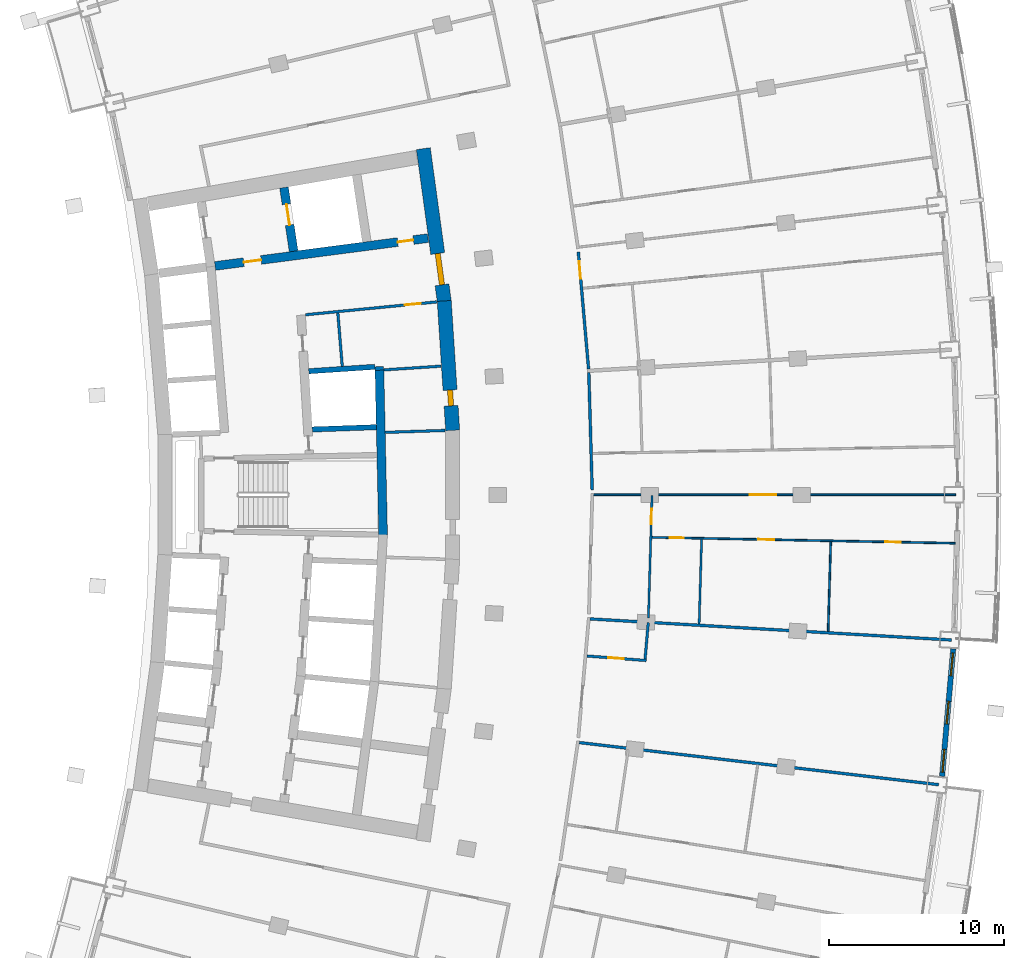
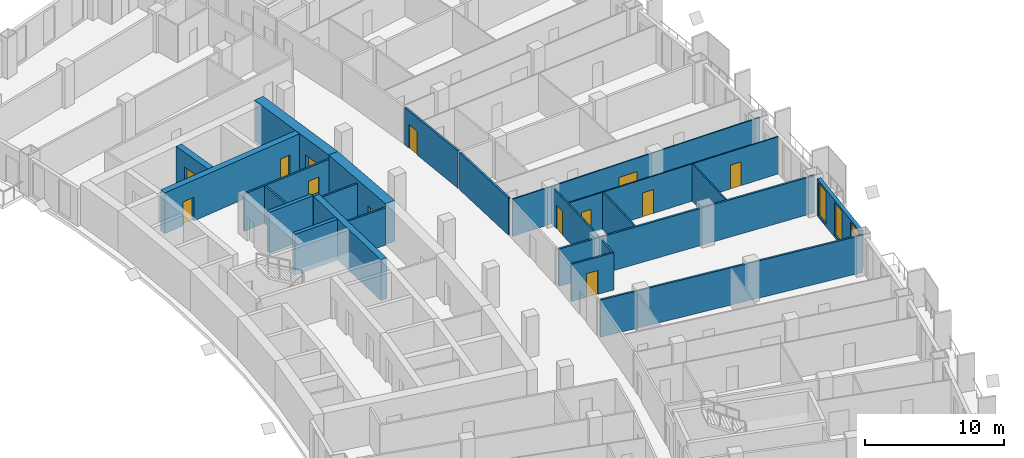
# One storey, part 17 of 25: 24 walls, 13 doors, 3 windows, 16 openings.
"""IFC4 building model written with IfcOpenShell, lengths in metres."""

import ifcopenshell
import ifcopenshell.guid

model = None  # the IFC model being written
_history = None  # IfcOwnerHistory: only IFC2X3 demands one
_inside = {}  # id of a spatial element -> (the spatial element, [elements in it])
_under = {}  # id of a project, library or spatial element -> (it, [spatial elements below it])
_declared = {}  # id of a project -> (the project, [libraries it declares])
_typed = {}  # id of a type object -> (the type object, [elements of that type])
_made_of = {}  # id of a material, layer set ... -> (it, [elements and type objects made of it])


def new_model(schema):
    """Start an empty IFC model of exactly this schema.

    Asked for "IFC4X3", IfcOpenShell would pick the latest addendum, in which some entities
    have other attributes; the version numbers below select the first issue.
    IFC2X3 requires an IfcOwnerHistory on every rooted entity: one is made here for all.
    """
    global model, _history
    if schema == "IFC4X3":
        model = ifcopenshell.file(schema_version=(4, 3, 0, 0))
    else:
        model = ifcopenshell.file(schema=schema)
    _inside.clear()
    _under.clear()
    _declared.clear()
    _typed.clear()
    _made_of.clear()
    _history = None
    if model.schema == "IFC2X3":
        org = make("IfcOrganization", Name="unknown")
        user = make(
            "IfcPersonAndOrganization",
            ThePerson=make("IfcPerson", FamilyName="unknown"),
            TheOrganization=org,
        )
        app = make(
            "IfcApplication",
            ApplicationDeveloper=org,
            Version="unknown",
            ApplicationFullName="unknown",
            ApplicationIdentifier="unknown",
        )
        _history = make(
            "IfcOwnerHistory",
            OwningUser=user,
            OwningApplication=app,
            ChangeAction="ADDED",
            CreationDate=0,
        )
    return model


def make(cls, **values):
    """One entity of the class cls with the attributes given. An attribute that is None is left unset."""
    return model.create_entity(
        cls, **{name: value for name, value in values.items() if value is not None}
    )


def rooted(cls, **values):
    """An entity with a GlobalId (a new one), such as an element, a storey or a relation."""
    return make(cls, GlobalId=ifcopenshell.guid.new(), OwnerHistory=_history, **values)


def si_unit(unit_type, name, prefix=None):
    """IfcSIUnit, for example si_unit("LENGTHUNIT", "METRE", prefix="MILLI")."""
    return make("IfcSIUnit", UnitType=unit_type, Prefix=prefix, Name=name)


def assignment(units):
    """IfcUnitAssignment: the units of a project."""
    return None if units is None else make("IfcUnitAssignment", Units=units)


def point(xyz):
    """IfcCartesianPoint."""
    return None if xyz is None else make("IfcCartesianPoint", Coordinates=xyz)


def direction(xyz):
    """IfcDirection."""
    return None if xyz is None else make("IfcDirection", DirectionRatios=xyz)


def frame(location, z_axis=None, x_axis=None):
    """IfcAxis2Placement3D, a coordinate frame: its origin and axes. An axis left out is left unset."""
    return make(
        "IfcAxis2Placement3D",
        Location=point(location),
        Axis=direction(z_axis),
        RefDirection=direction(x_axis),
    )


def frame_2d(location, x_axis=None):
    """IfcAxis2Placement2D, a coordinate frame in the plane: its origin and x axis."""
    return make(
        "IfcAxis2Placement2D", Location=point(location), RefDirection=direction(x_axis)
    )


def origin():
    """The frame at (0, 0, 0) with its axes left unset."""
    return frame((0.0, 0.0, 0.0))


def place(relative_to, where):
    """IfcLocalPlacement: puts the frame where relative to a parent placement (None: the world)."""
    return make(
        "IfcLocalPlacement", PlacementRelTo=relative_to, RelativePlacement=where
    )


def context(
    kind, dimensions, precision=None, world=None, true_north=None, identifier=None
):
    """IfcGeometricRepresentationContext, for example the 3D "Model" context."""
    return make(
        "IfcGeometricRepresentationContext",
        ContextIdentifier=identifier,
        ContextType=kind,
        CoordinateSpaceDimension=dimensions,
        Precision=precision,
        WorldCoordinateSystem=world,
        TrueNorth=true_north,
    )


def subcontext(parent, identifier, kind, view, scale=None):
    """IfcGeometricRepresentationSubContext, for example "Body" below "Model"."""
    return make(
        "IfcGeometricRepresentationSubContext",
        ContextIdentifier=identifier,
        ContextType=kind,
        ParentContext=parent,
        TargetScale=scale,
        TargetView=view,
    )


def project(units=None, contexts=None):
    """IfcProject with its units and contexts."""
    return rooted(
        "IfcProject",
        Name="project",
        RepresentationContexts=contexts,
        UnitsInContext=assignment(units),
    )


def spatial(cls, under=None, at=None, **own):
    """A site, building, storey or space (cls), placed at a placement, below another one or the project."""
    s = rooted(cls, ObjectPlacement=at, **own)
    if under is not None:
        _under.setdefault(under.id(), (under, []))[1].append(s)
    return s


def profile(cls, at=None, kind="AREA", **sizes):
    """A parametric profile (cls). Its sizes go by their IFC names, for example OverallWidth=200.0."""
    return make(cls, ProfileType=kind, Position=at, **sizes)


def rectangle(**sizes):
    """IfcRectangleProfileDef."""
    return profile("IfcRectangleProfileDef", **sizes)


def extrude(swept, where, along, depth):
    """IfcExtrudedAreaSolid: the profile swept, set in the frame where, extruded along a direction by depth."""
    return make(
        "IfcExtrudedAreaSolid",
        SweptArea=swept,
        Position=where,
        ExtrudedDirection=direction(along),
        Depth=depth,
    )


def shape(context_of_items, identifier, shape_type, items):
    """IfcShapeRepresentation: the items that make up one representation, for example the "Body"."""
    return make(
        "IfcShapeRepresentation",
        ContextOfItems=context_of_items,
        RepresentationIdentifier=identifier,
        RepresentationType=shape_type,
        Items=items,
    )


def material(Name=None, Category=None):
    """IfcMaterial."""
    return make("IfcMaterial", Name=Name, Category=Category)


def layer(
    of_material, thickness, ventilated=None, Name=None, Category=None, Priority=None
):
    """IfcMaterialLayer: one layer of a wall or slab, of a material (None: an air gap)."""
    return make(
        "IfcMaterialLayer",
        Material=of_material,
        LayerThickness=thickness,
        IsVentilated=ventilated,
        Name=Name,
        Category=Category,
        Priority=Priority,
    )


def layer_set(layers, Name=None):
    """IfcMaterialLayerSet."""
    return make("IfcMaterialLayerSet", MaterialLayers=layers, LayerSetName=Name)


def made_of(thing, what):
    """Note that an element or type object is made of a material, layer set ...; save() writes the relation."""
    if what is not None:
        _made_of.setdefault(what.id(), (what, []))[1].append(thing)
    return thing


def type_object(cls, material=None, **own):
    """A type object (cls), such as IfcWallType, which elements share."""
    return made_of(rooted(cls, **own), material)


def element(
    cls,
    number,
    at=None,
    inside=None,
    cuts=None,
    type_object=None,
    material=None,
    context=None,
    identifier="Body",
    shape_type=None,
    held_by="IfcProductDefinitionShape",
    body=None,
    shapes=None,
    **own,
):
    """One element of the class cls, such as IfcWall. Its Tag is "e" and its number.

    at: its placement. inside: the storey or other place that contains it. cuts: it is an
    opening in that element (IfcRelVoidsElement). A single representation is given by context,
    identifier, shape_type and body (its items); several are given by shapes. held_by: the class
    of the entity that holds the representations. save() writes the other relations.
    """
    e = rooted(cls, Tag="e%d" % number, ObjectPlacement=at, **own)
    if body is not None:
        shapes = [shape(context, identifier, shape_type, body)]
    if shapes is not None:
        e.Representation = make(held_by, Representations=shapes)
    if inside is not None:
        _inside.setdefault(inside.id(), (inside, []))[1].append(e)
    if cuts is not None:
        rooted(
            "IfcRelVoidsElement", RelatingBuildingElement=cuts, RelatedOpeningElement=e
        )
    if type_object is not None:
        _typed.setdefault(type_object.id(), (type_object, []))[1].append(e)
    return made_of(e, material)


def fill(opening, filler):
    """IfcRelFillsElement: the door or window that sits in an opening."""
    return rooted(
        "IfcRelFillsElement",
        RelatingOpeningElement=opening,
        RelatedBuildingElement=filler,
    )


def aggregate(whole, parts):
    """IfcRelAggregates: a whole, such as a stair, and the parts it consists of."""
    return rooted("IfcRelAggregates", RelatingObject=whole, RelatedObjects=parts)


def save(model, path):
    """Write the relations noted so far, then the file.

    IfcRelAggregates (storeys below a building ...), IfcRelContainedInSpatialStructure (elements
    in a storey), IfcRelDefinesByType, IfcRelAssociatesMaterial and IfcRelDeclares: one each for
    every whole, place, type object, material and project.
    """
    for whole, parts in _under.values():
        aggregate(whole, parts)
    for where, things in _inside.values():
        rooted(
            "IfcRelContainedInSpatialStructure",
            RelatedElements=things,
            RelatingStructure=where,
        )
    for kind, things in _typed.values():
        rooted("IfcRelDefinesByType", RelatedObjects=things, RelatingType=kind)
    for what, things in _made_of.values():
        rooted("IfcRelAssociatesMaterial", RelatedObjects=things, RelatingMaterial=what)
    for by, libraries in _declared.values():
        rooted("IfcRelDeclares", RelatingContext=by, RelatedDefinitions=libraries)
    model.write(path)


model = new_model("IFC4")

# Units and contexts
model_context = context("Model", 3, precision=1e-05, world=origin(), true_north=direction((0.0, 1.0)))
body_context = subcontext(model_context, "Body", "Model", "MODEL_VIEW")
ifc_project = project(units=[si_unit("LENGTHUNIT", "METRE"), si_unit("AREAUNIT", "SQUARE_METRE"), si_unit("VOLUMEUNIT", "CUBIC_METRE"), si_unit("PLANEANGLEUNIT", "RADIAN"), si_unit("MASSUNIT", "GRAM", prefix="KILO")], contexts=[model_context])

# Site, building, storey
site_placement = place(None, origin())
site = spatial("IfcSite", under=ifc_project, at=site_placement, CompositionType="ELEMENT")
building_placement = place(site_placement, origin())
building = spatial("IfcBuilding", under=site, at=building_placement, Name="Alderwake Tower", CompositionType="ELEMENT")
storey_placement = place(building_placement, frame((0.0, 0.0, 89.60009765625)))
storey = spatial("IfcBuildingStorey", under=building, at=storey_placement, Name="L21", CompositionType="ELEMENT", Elevation=89.60009765625)

# Walls
ifc_material_1 = material(Name="Gypsum shaft wall system, rated")
ifc_layer_1 = layer(ifc_material_1, 0.14990234375)
ifc_layer_set_1 = layer_set([ifc_layer_1], Name="Core room partition 150")
wall_type_1 = type_object("IfcWallType", Name="Core room partition 150", PredefinedType="PARTITIONING", material=ifc_layer_set_1)
wall_1_placement = place(storey_placement, frame((26.94970703125, 68.3203125, 0.0), z_axis=(0.0, 0.0, 1.0), x_axis=(-0.082463525817, 0.996594083321, 0.0)))
element("IfcWall", 1, at=wall_1_placement, inside=storey, type_object=wall_type_1, Name="CW/L21/PA+107_+70", PredefinedType="PARTITIONING", context=body_context, shape_type="SweptSolid", body=[
    extrude(rectangle(XDim=3.055419921875, YDim=0.14990234375, at=frame_2d((1.52783203125, 0.0))), origin(), (0.0, 0.0, 1.0), 3.27978515625),
])
wall_2_placement = place(storey_placement, frame((29.3974609375, 64.55810546875, 0.0), z_axis=(0.0, 0.0, 1.0), x_axis=(0.999470631901, 0.032533920269, 0.0)))
element("IfcWall", 2, at=wall_2_placement, inside=storey, type_object=wall_type_1, Name="CW/L21/PR+34_+128", PredefinedType="PARTITIONING", context=body_context, shape_type="SweptSolid", body=[
    extrude(rectangle(XDim=3.414306640625, YDim=0.14990234375, at=frame_2d((1.70703125, 0.0))), origin(), (0.0, 0.0, 1.0), 3.27978515625),
])
wall_3_placement = place(storey_placement, frame((29.318603515625, 68.11865234375, 0.0), z_axis=(0.0, 0.0, 1.0), x_axis=(0.997885072108, 0.065002945035, 0.0)))
element("IfcWall", 3, at=wall_3_placement, inside=storey, type_object=wall_type_1, Name="CW/L21/PR+68_+128", PredefinedType="PARTITIONING", context=body_context, shape_type="SweptSolid", body=[
    extrude(rectangle(XDim=3.260009765625, YDim=0.14990234375, at=frame_2d((1.6298828125, 0.0))), origin(), (0.0, 0.0, 1.0), 3.27978515625),
])

# Wall, opening, door
wall_4_placement = place(storey_placement, frame((32.333251953125, 71.991943359375, 0.0), z_axis=(0.0, 0.0, 1.0), x_axis=(-0.995248348328, -0.097369015353, 0.0)))
wall_4 = element("IfcWall", 4, at=wall_4_placement, inside=storey, type_object=wall_type_1, Name="CW/L21/PR+102_+86", PredefinedType="PARTITIONING", context=body_context, shape_type="SweptSolid", body=[
    extrude(rectangle(XDim=7.51953125, YDim=0.14990234375, at=frame_2d((3.759765625, 0.0))), origin(), (0.0, 0.0, 1.0), 3.27978515625),
])
opening_1_placement = place(wall_4_placement, frame((0.919921875, 0.0, 0.0)))
opening_1 = element("IfcOpeningElement", 5, at=opening_1_placement, cuts=wall_4, Name="Opening C021", PredefinedType="OPENING", context=body_context, shape_type="SweptSolid", body=[
    extrude(rectangle(XDim=0.89990234375, YDim=2.10009765625, at=frame_2d((0.449951171875, 1.050048828125))), frame((0.0, 0.0849609375, 0.0), z_axis=(0.0, -1.0, 0.0), x_axis=(1.0, 0.0, 0.0)), (0.0, 0.0, 1.0), 0.169921875),
])
ifc_material_2 = material(Name="Painted steel leaf", Category="steel")
door_type_1 = type_object("IfcDoorType", Name="Core room door 900", OperationType="SINGLE_SWING_LEFT", PredefinedType="DOOR", material=ifc_material_2)
door_1_placement = place(opening_1_placement, origin())
door_1 = element("IfcDoor", 6, at=door_1_placement, inside=storey, type_object=door_type_1, Name="Room door", OperationType="SINGLE_SWING_RIGHT", OverallHeight=2.10009765625, OverallWidth=0.89990234375, PredefinedType="DOOR", context=body_context, shape_type="SweptSolid", body=[
    extrude(rectangle(XDim=0.89990234375, YDim=2.10009765625, at=frame_2d((0.449951171875, 1.050048828125))), frame((0.0, 0.02490234375, 0.0), z_axis=(0.0, -1.0, 0.0), x_axis=(1.0, 0.0, 0.0)), (0.0, 0.0, 1.0), 0.050048828125),
])
fill(opening_1, door_1)

ifc_material_3 = material(Name="Concrete C70/85", Category="concrete")
ifc_layer_2 = layer(ifc_material_3, 0.800048828125)
ifc_layer_set_2 = layer_set([ifc_layer_2], Name="Core wall outer 800 C70-85")
wall_type_2 = type_object("IfcWallType", Name="Core wall outer 800 C70-85", PredefinedType="SHEAR", material=ifc_layer_set_2)
wall_5_placement = place(storey_placement, frame((32.760498046875, 72.048583984375, 0.0), z_axis=(0.0, 0.0, 1.0), x_axis=(0.064976219143, -0.997886812693, 0.0)))
wall_5 = element("IfcWall", 7, at=wall_5_placement, inside=storey, type_object=wall_type_2, Name="Core wall CW.010", PredefinedType="SHEAR", context=body_context, shape_type="SweptSolid", body=[
    extrude(rectangle(XDim=7.39453125, YDim=0.800048828125, at=frame_2d((3.697265625, 0.0))), origin(), (0.0, 0.0, 1.0), 3.599853515625),
])
opening_2_placement = place(wall_5_placement, frame((5.08984375, 0.0, 0.0)))
opening_2 = element("IfcOpeningElement", 8, at=opening_2_placement, cuts=wall_5, Name="Opening C035", PredefinedType="OPENING", context=body_context, shape_type="SweptSolid", body=[
    extrude(rectangle(XDim=0.89990234375, YDim=2.10009765625, at=frame_2d((0.449951171875, 1.050048828125))), frame((0.0, 0.409912109375, 0.0), z_axis=(0.0, -1.0, 0.0), x_axis=(1.0, 0.0, 0.0)), (0.0, 0.0, 1.0), 0.820068359375),
])
door_2_placement = place(opening_2_placement, origin())
door_2 = element("IfcDoor", 9, at=door_2_placement, inside=storey, type_object=door_type_1, Name="Room door", OperationType="SINGLE_SWING_RIGHT", OverallHeight=2.10009765625, OverallWidth=0.89990234375, PredefinedType="DOOR", context=body_context, shape_type="SweptSolid", body=[
    extrude(rectangle(XDim=0.89990234375, YDim=2.10009765625, at=frame_2d((0.449951171875, 1.050048828125))), frame((0.0, 0.14990234375, 0.0), z_axis=(0.0, -1.0, 0.0), x_axis=(1.0, 0.0, 0.0)), (0.0, 0.0, 1.0), 0.300048828125),
])
fill(opening_2, door_2)

wall_6_placement = place(storey_placement, frame((31.569580078125, 80.7265625, 0.0), z_axis=(0.0, 0.0, 1.0), x_axis=(0.135838347444, -0.990731014637, 0.0)))
wall_6 = element("IfcWall", 10, at=wall_6_placement, inside=storey, type_object=wall_type_2, Name="Core wall CW.009", PredefinedType="SHEAR", context=body_context, shape_type="SweptSolid", body=[
    extrude(rectangle(XDim=8.788818359375, YDim=0.800048828125, at=frame_2d((4.39453125, 0.0))), origin(), (0.0, 0.0, 1.0), 3.599853515625),
])
opening_3_placement = place(wall_6_placement, frame((6.032958984375, 0.0, 0.0)))
opening_3 = element("IfcOpeningElement", 11, at=opening_3_placement, cuts=wall_6, Name="Opening C001", PredefinedType="OPENING", context=body_context, shape_type="SweptSolid", body=[
    extrude(rectangle(XDim=1.800048828125, YDim=2.10009765625, at=frame_2d((0.89990234375, 1.050048828125))), frame((0.0, 0.409912109375, 0.0), z_axis=(0.0, -1.0, 0.0), x_axis=(1.0, 0.0, 0.0)), (0.0, 0.0, 1.0), 0.820068359375),
])
ifc_material_4 = material(Name="Steel-framed fire door leaves", Category="steel")
door_type_2 = type_object("IfcDoorType", Name="Core double door 1800 fire-rated", OperationType="DOUBLE_DOOR_SINGLE_SWING", PredefinedType="DOOR", material=ifc_material_4)
door_3_placement = place(opening_3_placement, origin())
door_3 = element("IfcDoor", 12, at=door_3_placement, inside=storey, type_object=door_type_2, Name="Lobby double door", OperationType="DOUBLE_DOOR_SINGLE_SWING", OverallHeight=2.10009765625, OverallWidth=1.800048828125, PredefinedType="DOOR", context=body_context, shape_type="SweptSolid", body=[
    extrude(rectangle(XDim=1.800048828125, YDim=2.10009765625, at=frame_2d((0.89990234375, 1.050048828125))), frame((0.0, 0.14990234375, 0.0), z_axis=(0.0, -1.0, 0.0), x_axis=(1.0, 0.0, 0.0)), (0.0, 0.0, 1.0), 0.300048828125),
])
fill(opening_3, door_3)

# Walls
ifc_material_5 = material(Name="Concrete C70/85", Category="concrete")
ifc_layer_3 = layer(ifc_material_5, 0.300048828125)
ifc_layer_set_3 = layer_set([ifc_layer_3], Name="Core wall shaft 300 C70-85")
wall_type_3 = type_object("IfcWallType", Name="Core wall shaft 300 C70-85", PredefinedType="SHEAR", material=ifc_layer_set_3)
wall_7_placement = place(storey_placement, frame((25.2412109375, 64.725341796875, 0.0), z_axis=(0.0, 0.0, 1.0), x_axis=(0.999374468163, 0.035364846723, 0.0)))
element("IfcWall", 13, at=wall_7_placement, inside=storey, type_object=wall_type_3, Name="Core wall CW.060", PredefinedType="SHEAR", context=body_context, shape_type="SweptSolid", body=[
    extrude(rectangle(XDim=3.65185546875, YDim=0.300048828125, at=frame_2d((1.825927734375, 0.0))), origin(), (0.0, 0.0, 1.0), 3.599853515625),
])
wall_8_placement = place(storey_placement, frame((25.042236328125, 68.0419921875, 0.0), z_axis=(0.0, 0.0, 1.0), x_axis=(0.997762475899, 0.066858370369, 0.0)))
element("IfcWall", 14, at=wall_8_placement, inside=storey, type_object=wall_type_3, Name="Core wall CW.063", PredefinedType="SHEAR", context=body_context, shape_type="SweptSolid", body=[
    extrude(rectangle(XDim=3.772216796875, YDim=0.300048828125, at=frame_2d((1.88623046875, 0.0))), origin(), (0.0, 0.0, 1.0), 3.599853515625),
])

# Wall, opening, door
ifc_material_6 = material(Name="Concrete C70/85", Category="concrete")
ifc_layer_4 = layer(ifc_material_6, 0.5)
ifc_layer_set_4 = layer_set([ifc_layer_4], Name="Core wall spine 500 C70-85")
wall_type_4 = type_object("IfcWallType", Name="Core wall spine 500 C70-85", PredefinedType="SHEAR", material=ifc_layer_set_4)
wall_9_placement = place(storey_placement, frame((24.1796875, 74.878173828125, 0.0), z_axis=(0.0, 0.0, 1.0), x_axis=(-0.149334835296, 0.988786684259, 0.0)))
wall_9 = element("IfcWall", 15, at=wall_9_placement, inside=storey, type_object=wall_type_4, Name="Core wall CW.044", PredefinedType="SHEAR", context=body_context, shape_type="SweptSolid", body=[
    extrude(rectangle(XDim=3.673583984375, YDim=0.5, at=frame_2d((1.8369140625, 0.0))), origin(), (0.0, 0.0, 1.0), 3.599853515625),
])
opening_4_placement = place(wall_9_placement, frame((1.51171875, 0.0, 0.0)))
opening_4 = element("IfcOpeningElement", 16, at=opening_4_placement, cuts=wall_9, Name="Opening LD-FF2", PredefinedType="OPENING", context=body_context, shape_type="SweptSolid", body=[
    extrude(rectangle(XDim=1.199951171875, YDim=2.300048828125, at=frame_2d((0.60009765625, 1.14990234375))), frame((0.0, 0.260009765625, 0.0), z_axis=(0.0, -1.0, 0.0), x_axis=(1.0, 0.0, 0.0)), (0.0, 0.0, 1.0), 0.52001953125),
])
ifc_material_7 = material(Name="Stainless steel sliding leaf", Category="steel")
door_type_3 = type_object("IfcDoorType", Name="Lift landing door 1200", OperationType="SLIDING_TO_LEFT", PredefinedType="DOOR", material=ifc_material_7)
door_4_placement = place(opening_4_placement, origin())
door_4 = element("IfcDoor", 17, at=door_4_placement, inside=storey, type_object=door_type_3, Name="Lift landing door FF2", OperationType="SLIDING_TO_LEFT", OverallHeight=2.300048828125, OverallWidth=1.199951171875, PredefinedType="DOOR", context=body_context, shape_type="SweptSolid", body=[
    extrude(rectangle(XDim=1.199951171875, YDim=2.300048828125, at=frame_2d((0.60009765625, 1.14990234375))), frame((0.0, 0.02490234375, 0.0), z_axis=(0.0, -1.0, 0.0), x_axis=(1.0, 0.0, 0.0)), (0.0, 0.0, 1.0), 0.050048828125),
])
fill(opening_4, door_4)

# Walls
wall_10_placement = place(storey_placement, frame((29.276611328125, 58.71630859375, 0.0), z_axis=(0.0, 0.0, 1.0), x_axis=(-0.022115722908, 0.99975541749, 0.0)))
element("IfcWall", 18, at=wall_10_placement, inside=storey, type_object=wall_type_4, Name="Core wall CW.007", PredefinedType="SHEAR", context=body_context, shape_type="SweptSolid", body=[
    extrude(rectangle(XDim=9.394287109375, YDim=0.5, at=frame_2d((4.697265625, 0.0))), origin(), (0.0, 0.0, 1.0), 3.599853515625),
])
wall_11_placement = place(storey_placement, frame((29.0693359375, 68.096435546875, 0.0), z_axis=(0.0, 0.0, 1.0), x_axis=(-0.065840896216, 0.997830134034, 0.0)))
element("IfcWall", 19, at=wall_11_placement, inside=storey, type_object=wall_type_4, Name="Core wall CW.003", PredefinedType="SHEAR", context=body_context, shape_type="SweptSolid", body=[
    extrude(rectangle(XDim=0.215087890625, YDim=0.5, at=frame_2d((0.107421875, 0.0))), origin(), (0.0, 0.0, 1.0), 3.599853515625),
])

# Wall, openings, doors
wall_12_placement = place(storey_placement, frame((31.834716796875, 75.627197265625, 0.0), z_axis=(0.0, 0.0, 1.0), x_axis=(-0.991555516999, -0.129682908318, 0.0)))
wall_12 = element("IfcWall", 20, at=wall_12_placement, inside=storey, type_object=wall_type_4, Name="Core wall CW.052", PredefinedType="SHEAR", context=body_context, shape_type="SweptSolid", body=[
    extrude(rectangle(XDim=12.23681640625, YDim=0.5, at=frame_2d((6.118408203125, 0.0))), origin(), (0.0, 0.0, 1.0), 3.599853515625),
])
opening_5_placement = place(wall_12_placement, frame((9.587158203125, 0.0, 0.0)))
opening_5 = element("IfcOpeningElement", 21, at=opening_5_placement, cuts=wall_12, Name="Opening C002", PredefinedType="OPENING", context=body_context, shape_type="SweptSolid", body=[
    extrude(rectangle(XDim=1.0, YDim=2.10009765625, at=frame_2d((0.5, 1.050048828125))), frame((0.0, 0.260009765625, 0.0), z_axis=(0.0, -1.0, 0.0), x_axis=(1.0, 0.0, 0.0)), (0.0, 0.0, 1.0), 0.52001953125),
])
opening_6_placement = place(wall_12_placement, frame((0.837158203125, 0.0, 0.0)))
opening_6 = element("IfcOpeningElement", 22, at=opening_6_placement, cuts=wall_12, Name="Opening C020", PredefinedType="OPENING", context=body_context, shape_type="SweptSolid", body=[
    extrude(rectangle(XDim=0.89990234375, YDim=2.10009765625, at=frame_2d((0.449951171875, 1.050048828125))), frame((0.0, 0.260009765625, 0.0), z_axis=(0.0, -1.0, 0.0), x_axis=(1.0, 0.0, 0.0)), (0.0, 0.0, 1.0), 0.52001953125),
])
door_5_placement = place(opening_6_placement, origin())
door_5 = element("IfcDoor", 23, at=door_5_placement, inside=storey, type_object=door_type_1, Name="Room door", OperationType="SINGLE_SWING_LEFT", OverallHeight=2.10009765625, OverallWidth=0.89990234375, PredefinedType="DOOR", context=body_context, shape_type="SweptSolid", body=[
    extrude(rectangle(XDim=0.89990234375, YDim=2.10009765625, at=frame_2d((0.449951171875, 1.050048828125))), frame((0.0, 0.02490234375, 0.0), z_axis=(0.0, -1.0, 0.0), x_axis=(1.0, 0.0, 0.0)), (0.0, 0.0, 1.0), 0.050048828125),
])
fill(opening_6, door_5)
ifc_material_8 = material(Name="Steel-framed fire door leaf", Category="steel")
door_type_4 = type_object("IfcDoorType", Name="Firefighting lobby door 1000 fire-rated", OperationType="SINGLE_SWING_LEFT", PredefinedType="DOOR", material=ifc_material_8)
door_6_placement = place(opening_5_placement, origin())
door_6 = element("IfcDoor", 24, at=door_6_placement, inside=storey, type_object=door_type_4, Name="Firefighting lobby door", OperationType="SINGLE_SWING_RIGHT", OverallHeight=2.10009765625, OverallWidth=1.0, PredefinedType="DOOR", context=body_context, shape_type="SweptSolid", body=[
    extrude(rectangle(XDim=1.0, YDim=2.10009765625, at=frame_2d((0.5, 1.050048828125))), frame((0.0, 0.02490234375, 0.0), z_axis=(0.0, -1.0, 0.0), x_axis=(1.0, 0.0, 0.0)), (0.0, 0.0, 1.0), 0.050048828125),
])
fill(opening_5, door_6)

# Wall
ifc_material_9 = material(Name="Gypsum board on metal studs, rated")
ifc_layer_5 = layer(ifc_material_9, 0.159912109375)
ifc_layer_set_5 = layer_set([ifc_layer_5], Name="Corridor wall 160")
wall_type_5 = type_object("IfcWallType", Name="Corridor wall 160", PredefinedType="PARTITIONING", material=ifc_layer_set_5)
wall_13_placement = place(storey_placement, frame((41.074951171875, 53.92919921875, 0.0), z_axis=(0.0, 0.0, 1.0), x_axis=(0.998301701652, -0.058255578946, 0.0)))
element("IfcWall", 25, at=wall_13_placement, inside=storey, type_object=wall_type_5, Name="WL/L21/W39", PredefinedType="PARTITIONING", context=body_context, shape_type="SweptSolid", body=[
    extrude(rectangle(XDim=20.618896484375, YDim=0.159912109375, at=frame_2d((10.3095703125, 0.0))), origin(), (0.0, 0.0, 1.0), 3.27978515625),
])

# Wall, opening, door
wall_14_placement = place(storey_placement, frame((40.400390625, 74.84228515625, 0.0), z_axis=(0.0, 0.0, 1.0), x_axis=(0.087437661692, -0.996169993183, 0.0)))
wall_14 = element("IfcWall", 26, at=wall_14_placement, inside=storey, type_object=wall_type_5, Name="WL/L21/W40", PredefinedType="PARTITIONING", context=body_context, shape_type="SweptSolid", body=[
    extrude(rectangle(XDim=6.701171875, YDim=0.159912109375, at=frame_2d((3.3505859375, 0.0))), origin(), (0.0, 0.0, 1.0), 3.27978515625),
])
opening_7_placement = place(wall_14_placement, frame((0.544921875, 0.0, 0.0)))
opening_7 = element("IfcOpeningElement", 27, at=opening_7_placement, cuts=wall_14, Name="Opening R05-U07.2", PredefinedType="OPENING", context=body_context, shape_type="SweptSolid", body=[
    extrude(rectangle(XDim=1.0, YDim=2.10009765625, at=frame_2d((0.5, 1.050048828125))), frame((0.0, 0.08984375, 0.0), z_axis=(0.0, -1.0, 0.0), x_axis=(1.0, 0.0, 0.0)), (0.0, 0.0, 1.0), 0.179931640625),
])
ifc_material_10 = material(Name="Solid timber leaf in steel frame", Category="steel")
door_type_5 = type_object("IfcDoorType", Name="Flat entrance door 1000 fire-rated", OperationType="SINGLE_SWING_LEFT", PredefinedType="DOOR", material=ifc_material_10)
door_7_placement = place(opening_7_placement, origin())
door_7 = element("IfcDoor", 28, at=door_7_placement, inside=storey, type_object=door_type_5, Name="DR/L21/U07.2", OperationType="SINGLE_SWING_LEFT", OverallHeight=2.10009765625, OverallWidth=1.0, PredefinedType="DOOR", context=body_context, shape_type="SweptSolid", body=[
    extrude(rectangle(XDim=1.0, YDim=2.10009765625, at=frame_2d((0.5, 1.050048828125))), frame((0.0, 0.02490234375, 0.0), z_axis=(0.0, -1.0, 0.0), x_axis=(1.0, 0.0, 0.0)), (0.0, 0.0, 1.0), 0.050048828125),
])
fill(opening_7, door_7)

# Walls
wall_15_placement = place(storey_placement, frame((40.997802734375, 67.967041015625, 0.0), z_axis=(0.0, 0.0, 1.0), x_axis=(0.0288778927, -0.99958294669, 0.0)))
element("IfcWall", 29, at=wall_15_placement, inside=storey, type_object=wall_type_5, Name="WL/L21/W41", PredefinedType="PARTITIONING", context=body_context, shape_type="SweptSolid", body=[
    extrude(rectangle(XDim=6.7041015625, YDim=0.159912109375, at=frame_2d((3.35205078125, 0.0))), origin(), (0.0, 0.0, 1.0), 3.27978515625),
])
wall_16_placement = place(storey_placement, frame((60.93603515625, 44.48388671875, 0.0), z_axis=(0.0, 0.0, 1.0), x_axis=(-0.993203681346, 0.116389206376, 0.0)))
element("IfcWall", 30, at=wall_16_placement, inside=storey, type_object=wall_type_5, Name="WL/L21/W42", PredefinedType="PARTITIONING", context=body_context, shape_type="SweptSolid", body=[
    extrude(rectangle(XDim=20.61962890625, YDim=0.159912109375, at=frame_2d((10.309814453125, 0.0))), origin(), (0.0, 0.0, 1.0), 3.27978515625),
])

# Wall, openings, windows
ifc_material_11 = material(Name="Precast concrete C50/60 spandrel panel", Category="concrete")
ifc_layer_6 = layer(ifc_material_11, 0.300048828125)
ifc_layer_set_6 = layer_set([ifc_layer_6], Name="External wall EW1 Precast concrete C50/60 spandrel")
wall_type_6 = type_object("IfcWallType", Name="External wall EW1 Precast concrete C50/60 spandrel", PredefinedType="SOLIDWALL", material=ifc_layer_set_6)
wall_17_placement = place(storey_placement, frame((61.1279296875, 44.962158203125, 0.0), z_axis=(0.0, 0.0, 1.0), x_axis=(0.087408828745, 0.996172523541, 0.0)))
wall_17 = element("IfcWall", 31, at=wall_17_placement, inside=storey, type_object=wall_type_6, Name="External wall 15", PredefinedType="SOLIDWALL", context=body_context, shape_type="SweptSolid", body=[
    extrude(rectangle(XDim=7.287109375, YDim=0.300048828125, at=frame_2d((3.6435546875, 0.0))), origin(), (0.0, 0.0, 1.0), 3.27978515625),
])
opening_8_placement = place(wall_17_placement, frame((0.23681640625, 0.0, 0.199951171875)))
opening_8 = element("IfcOpeningElement", 32, at=opening_8_placement, cuts=wall_17, Name="Opening W1", PredefinedType="OPENING", context=body_context, shape_type="SweptSolid", body=[
    extrude(rectangle(XDim=1.300048828125, YDim=2.89990234375, at=frame_2d((0.64990234375, 1.449951171875))), frame((0.0, 0.159912109375, 0.0), z_axis=(0.0, -1.0, 0.0), x_axis=(1.0, 0.0, 0.0)), (0.0, 0.0, 1.0), 0.320068359375),
])
opening_9_placement = place(wall_17_placement, frame((2.99365234375, 0.0, 0.199951171875)))
opening_9 = element("IfcOpeningElement", 33, at=opening_9_placement, cuts=wall_17, Name="Opening W1", PredefinedType="OPENING", context=body_context, shape_type="SweptSolid", body=[
    extrude(rectangle(XDim=1.300048828125, YDim=2.89990234375, at=frame_2d((0.64990234375, 1.449951171875))), frame((0.0, 0.159912109375, 0.0), z_axis=(0.0, -1.0, 0.0), x_axis=(1.0, 0.0, 0.0)), (0.0, 0.0, 1.0), 0.320068359375),
])
opening_10_placement = place(wall_17_placement, frame((5.75048828125, 0.0, 0.199951171875)))
opening_10 = element("IfcOpeningElement", 34, at=opening_10_placement, cuts=wall_17, Name="Opening W1", PredefinedType="OPENING", context=body_context, shape_type="SweptSolid", body=[
    extrude(rectangle(XDim=1.300048828125, YDim=2.89990234375, at=frame_2d((0.64990234375, 1.449951171875))), frame((0.0, 0.159912109375, 0.0), z_axis=(0.0, -1.0, 0.0), x_axis=(1.0, 0.0, 0.0)), (0.0, 0.0, 1.0), 0.320068359375),
])
ifc_material_12 = material(Name="Bronze tinted glass in aluminium frame", Category="aluminium")
window_type = type_object("IfcWindowType", Name="Window W1 tall fixed and vent", PartitioningType="DOUBLE_PANEL_VERTICAL", PredefinedType="WINDOW", material=ifc_material_12)
window_1_placement = place(opening_8_placement, origin())
window_1 = element("IfcWindow", 35, at=window_1_placement, inside=storey, type_object=window_type, Name="Window W1 tall fixed and vent", OverallHeight=2.89990234375, OverallWidth=1.300048828125, PartitioningType="DOUBLE_PANEL_VERTICAL", PredefinedType="WINDOW", context=body_context, shape_type="SweptSolid", body=[
    extrude(rectangle(XDim=1.300048828125, YDim=2.89990234375, at=frame_2d((0.64990234375, 1.449951171875))), frame((0.0, 0.030029296875, 0.0), z_axis=(0.0, -1.0, 0.0), x_axis=(1.0, 0.0, 0.0)), (0.0, 0.0, 1.0), 0.06005859375),
])
fill(opening_8, window_1)
window_2_placement = place(opening_9_placement, origin())
window_2 = element("IfcWindow", 36, at=window_2_placement, inside=storey, type_object=window_type, Name="Window W1 tall fixed and vent", OverallHeight=2.89990234375, OverallWidth=1.300048828125, PartitioningType="DOUBLE_PANEL_VERTICAL", PredefinedType="WINDOW", context=body_context, shape_type="SweptSolid", body=[
    extrude(rectangle(XDim=1.300048828125, YDim=2.89990234375, at=frame_2d((0.64990234375, 1.449951171875))), frame((0.0, 0.030029296875, 0.0), z_axis=(0.0, -1.0, 0.0), x_axis=(1.0, 0.0, 0.0)), (0.0, 0.0, 1.0), 0.06005859375),
])
fill(opening_9, window_2)
window_3_placement = place(opening_10_placement, origin())
window_3 = element("IfcWindow", 37, at=window_3_placement, inside=storey, type_object=window_type, Name="Window W1 tall fixed and vent", OverallHeight=2.89990234375, OverallWidth=1.300048828125, PartitioningType="DOUBLE_PANEL_VERTICAL", PredefinedType="WINDOW", context=body_context, shape_type="SweptSolid", body=[
    extrude(rectangle(XDim=1.300048828125, YDim=2.89990234375, at=frame_2d((0.64990234375, 1.449951171875))), frame((0.0, 0.030029296875, 0.0), z_axis=(0.0, -1.0, 0.0), x_axis=(1.0, 0.0, 0.0)), (0.0, 0.0, 1.0), 0.06005859375),
])
fill(opening_10, window_3)

# Wall, opening, door
ifc_material_13 = material(Name="Gypsum shaft wall system, rated")
ifc_layer_7 = layer(ifc_material_13, 0.14990234375)
ifc_layer_set_7 = layer_set([ifc_layer_7], Name="Riser and shaft wall 150")
wall_type_7 = type_object("IfcWallType", Name="Riser and shaft wall 150", PredefinedType="PARTITIONING", material=ifc_layer_set_7)
wall_18_placement = place(storey_placement, frame((40.888916015625, 51.81591796875, 0.0), z_axis=(0.0, 0.0, 1.0), x_axis=(0.997117185658, -0.075876992994, 0.0)))
wall_18 = element("IfcWall", 38, at=wall_18_placement, inside=storey, type_object=wall_type_7, Name="WL/L21/W13", PredefinedType="PARTITIONING", context=body_context, shape_type="SweptSolid", body=[
    extrude(rectangle(XDim=3.39453125, YDim=0.14990234375, at=frame_2d((1.697265625, 0.0))), origin(), (0.0, 0.0, 1.0), 3.27978515625),
])
opening_11_placement = place(wall_18_placement, frame((1.209228515625, 0.0, 0.0)))
opening_11 = element("IfcOpeningElement", 39, at=opening_11_placement, cuts=wall_18, Name="Opening R05-AM1.2", PredefinedType="OPENING", context=body_context, shape_type="SweptSolid", body=[
    extrude(rectangle(XDim=0.89990234375, YDim=2.10009765625, at=frame_2d((0.449951171875, 1.050048828125))), frame((0.0, 0.0849609375, 0.0), z_axis=(0.0, -1.0, 0.0), x_axis=(1.0, 0.0, 0.0)), (0.0, 0.0, 1.0), 0.169921875),
])
ifc_material_14 = material(Name="Painted timber leaf", Category="wood")
door_type_6 = type_object("IfcDoorType", Name="Room door 900", OperationType="SINGLE_SWING_LEFT", PredefinedType="DOOR", material=ifc_material_14)
door_8_placement = place(opening_11_placement, origin())
door_8 = element("IfcDoor", 40, at=door_8_placement, inside=storey, type_object=door_type_6, Name="DR/L21/AM1.2", OperationType="SINGLE_SWING_LEFT", OverallHeight=2.10009765625, OverallWidth=0.89990234375, PredefinedType="DOOR", context=body_context, shape_type="SweptSolid", body=[
    extrude(rectangle(XDim=0.89990234375, YDim=2.10009765625, at=frame_2d((0.449951171875, 1.050048828125))), frame((0.0, 0.02490234375, 0.0), z_axis=(0.0, -1.0, 0.0), x_axis=(1.0, 0.0, 0.0)), (0.0, 0.0, 1.0), 0.050048828125),
])
fill(opening_11, door_8)

# Wall
wall_19_placement = place(storey_placement, frame((44.20556640625, 51.638671875, 0.0), z_axis=(0.0, 0.0, 1.0), x_axis=(0.086639720886, 0.99623970949, 0.0)))
element("IfcWall", 41, at=wall_19_placement, inside=storey, type_object=wall_type_7, Name="WL/L21/W14", PredefinedType="PARTITIONING", context=body_context, shape_type="SweptSolid", body=[
    extrude(rectangle(XDim=2.085205078125, YDim=0.14990234375, at=frame_2d((1.04248046875, 0.0))), origin(), (0.0, 0.0, 1.0), 3.27978515625),
])

# Wall, opening, door
ifc_material_15 = material(Name="Gypsum board on metal studs")
ifc_layer_8 = layer(ifc_material_15, 0.10009765625)
ifc_layer_set_8 = layer_set([ifc_layer_8], Name="Unit partition 100")
wall_type_8 = type_object("IfcWallType", Name="Unit partition 100", PredefinedType="PARTITIONING", material=ifc_layer_set_8)
wall_20_placement = place(storey_placement, frame((41.279052734375, 60.9990234375, 0.0), z_axis=(0.0, 0.0, 1.0), x_axis=(1.0, 0.0, 0.0)))
wall_20 = element("IfcWall", 42, at=wall_20_placement, inside=storey, type_object=wall_type_8, Name="WL/L21/W72", PredefinedType="PARTITIONING", context=body_context, shape_type="SweptSolid", body=[
    extrude(rectangle(XDim=20.619873046875, YDim=0.10009765625, at=frame_2d((10.31005859375, 0.0))), origin(), (0.0, 0.0, 1.0), 3.27978515625),
])
opening_12_placement = place(wall_20_placement, frame((8.886474609375, 0.0, 0.0)))
opening_12 = element("IfcOpeningElement", 43, at=opening_12_placement, cuts=wall_20, Name="Opening R05-U06.9", PredefinedType="OPENING", context=body_context, shape_type="SweptSolid", body=[
    extrude(rectangle(XDim=1.5, YDim=2.10009765625, at=frame_2d((0.75, 1.050048828125))), frame((0.0, 0.06005859375, 0.0), z_axis=(0.0, -1.0, 0.0), x_axis=(1.0, 0.0, 0.0)), (0.0, 0.0, 1.0), 0.1201171875),
])
ifc_material_16 = material(Name="Painted timber leaves", Category="wood")
door_type_7 = type_object("IfcDoorType", Name="Double leaf door 1500", OperationType="DOUBLE_DOOR_SINGLE_SWING", PredefinedType="DOOR", material=ifc_material_16)
door_9_placement = place(opening_12_placement, origin())
door_9 = element("IfcDoor", 44, at=door_9_placement, inside=storey, type_object=door_type_7, Name="DR/L21/U06.9", OperationType="DOUBLE_DOOR_SINGLE_SWING", OverallHeight=2.10009765625, OverallWidth=1.5, PredefinedType="DOOR", context=body_context, shape_type="SweptSolid", body=[
    extrude(rectangle(XDim=1.5, YDim=2.10009765625, at=frame_2d((0.75, 1.050048828125))), frame((0.0, 0.02490234375, 0.0), z_axis=(0.0, -1.0, 0.0), x_axis=(1.0, 0.0, 0.0)), (0.0, 0.0, 1.0), 0.050048828125),
])
fill(opening_12, door_9)

# Wall, openings, doors
wall_21_placement = place(storey_placement, frame((61.868896484375, 58.241943359375, 0.0), z_axis=(0.0, 0.0, 1.0), x_axis=(-0.999812172455, 0.019380913569, 0.0)))
wall_21 = element("IfcWall", 45, at=wall_21_placement, inside=storey, type_object=wall_type_8, Name="WL/L21/W73", PredefinedType="PARTITIONING", context=body_context, shape_type="SweptSolid", body=[
    extrude(rectangle(XDim=17.282958984375, YDim=0.10009765625, at=frame_2d((8.6416015625, 0.0))), origin(), (0.0, 0.0, 1.0), 3.27978515625),
])
opening_13_placement = place(wall_21_placement, frame((10.31396484375, 0.0, 0.0)))
opening_13 = element("IfcOpeningElement", 46, at=opening_13_placement, cuts=wall_21, Name="Opening R05-U06.1", PredefinedType="OPENING", context=body_context, shape_type="SweptSolid", body=[
    extrude(rectangle(XDim=0.89990234375, YDim=2.10009765625, at=frame_2d((0.449951171875, 1.050048828125))), frame((0.0, 0.06005859375, 0.0), z_axis=(0.0, -1.0, 0.0), x_axis=(1.0, 0.0, 0.0)), (0.0, 0.0, 1.0), 0.1201171875),
])
opening_14_placement = place(wall_21_placement, frame((15.463623046875, 0.0, 0.0)))
opening_14 = element("IfcOpeningElement", 47, at=opening_14_placement, cuts=wall_21, Name="Opening R05-U06.4", PredefinedType="OPENING", context=body_context, shape_type="SweptSolid", body=[
    extrude(rectangle(XDim=0.800048828125, YDim=2.10009765625, at=frame_2d((0.39990234375, 1.050048828125))), frame((0.0, 0.06005859375, 0.0), z_axis=(0.0, -1.0, 0.0), x_axis=(1.0, 0.0, 0.0)), (0.0, 0.0, 1.0), 0.1201171875),
])
opening_15_placement = place(wall_21_placement, frame((3.091796875, 0.0, 0.0)))
opening_15 = element("IfcOpeningElement", 48, at=opening_15_placement, cuts=wall_21, Name="Opening R05-U06.5", PredefinedType="OPENING", context=body_context, shape_type="SweptSolid", body=[
    extrude(rectangle(XDim=0.89990234375, YDim=2.10009765625, at=frame_2d((0.449951171875, 1.050048828125))), frame((0.0, 0.06005859375, 0.0), z_axis=(0.0, -1.0, 0.0), x_axis=(1.0, 0.0, 0.0)), (0.0, 0.0, 1.0), 0.1201171875),
])
ifc_material_17 = material(Name="Painted timber leaf", Category="wood")
door_type_8 = type_object("IfcDoorType", Name="Bathroom door 800", OperationType="SINGLE_SWING_LEFT", PredefinedType="DOOR", material=ifc_material_17)
door_10_placement = place(opening_14_placement, origin())
door_10 = element("IfcDoor", 49, at=door_10_placement, inside=storey, type_object=door_type_8, Name="DR/L21/U06.4", OperationType="SINGLE_SWING_LEFT", OverallHeight=2.10009765625, OverallWidth=0.800048828125, PredefinedType="DOOR", context=body_context, shape_type="SweptSolid", body=[
    extrude(rectangle(XDim=0.800048828125, YDim=2.10009765625, at=frame_2d((0.39990234375, 1.050048828125))), frame((0.0, 0.02490234375, 0.0), z_axis=(0.0, -1.0, 0.0), x_axis=(1.0, 0.0, 0.0)), (0.0, 0.0, 1.0), 0.050048828125),
])
fill(opening_14, door_10)
door_11_placement = place(opening_13_placement, origin())
door_11 = element("IfcDoor", 50, at=door_11_placement, inside=storey, type_object=door_type_6, Name="DR/L21/U06.1", OperationType="SINGLE_SWING_LEFT", OverallHeight=2.10009765625, OverallWidth=0.89990234375, PredefinedType="DOOR", context=body_context, shape_type="SweptSolid", body=[
    extrude(rectangle(XDim=0.89990234375, YDim=2.10009765625, at=frame_2d((0.449951171875, 1.050048828125))), frame((0.0, 0.02490234375, 0.0), z_axis=(0.0, -1.0, 0.0), x_axis=(1.0, 0.0, 0.0)), (0.0, 0.0, 1.0), 0.050048828125),
])
fill(opening_13, door_11)
door_12_placement = place(opening_15_placement, origin())
door_12 = element("IfcDoor", 51, at=door_12_placement, inside=storey, type_object=door_type_6, Name="DR/L21/U06.5", OperationType="SINGLE_SWING_LEFT", OverallHeight=2.10009765625, OverallWidth=0.89990234375, PredefinedType="DOOR", context=body_context, shape_type="SweptSolid", body=[
    extrude(rectangle(XDim=0.89990234375, YDim=2.10009765625, at=frame_2d((0.449951171875, 1.050048828125))), frame((0.0, 0.02490234375, 0.0), z_axis=(0.0, -1.0, 0.0), x_axis=(1.0, 0.0, 0.0)), (0.0, 0.0, 1.0), 0.050048828125),
])
fill(opening_15, door_12)

# Wall
wall_22_placement = place(storey_placement, frame((54.63525390625, 53.216064453125, 0.0), z_axis=(0.0, 0.0, 1.0), x_axis=(0.029156453888, 0.999574860226, 0.0)))
element("IfcWall", 52, at=wall_22_placement, inside=storey, type_object=wall_type_8, Name="WL/L21/W84", PredefinedType="PARTITIONING", context=body_context, shape_type="SweptSolid", body=[
    extrude(rectangle(XDim=5.1162109375, YDim=0.10009765625, at=frame_2d((2.55810546875, 0.0))), origin(), (0.0, 0.0, 1.0), 3.27978515625),
])

# Wall, opening, door
ifc_material_18 = material(Name="Moisture resistant gypsum board on metal studs")
ifc_layer_9 = layer(ifc_material_18, 0.1201171875)
ifc_layer_set_9 = layer_set([ifc_layer_9], Name="Wet room partition 120")
wall_type_9 = type_object("IfcWallType", Name="Wet room partition 120", PredefinedType="PARTITIONING", material=ifc_layer_set_9)
wall_23_placement = place(storey_placement, frame((44.599609375, 60.948974609375, 0.0), z_axis=(0.0, 0.0, 1.0), x_axis=(-0.029334168017, -0.999569660697, 0.0)))
wall_23 = element("IfcWall", 53, at=wall_23_placement, inside=storey, type_object=wall_type_9, Name="WL/L21/W60", PredefinedType="PARTITIONING", context=body_context, shape_type="SweptSolid", body=[
    extrude(rectangle(XDim=6.966064453125, YDim=0.1201171875, at=frame_2d((3.48291015625, 0.0))), origin(), (0.0, 0.0, 1.0), 3.27978515625),
])
opening_16_placement = place(wall_23_placement, frame((0.735595703125, 0.0, 0.0)))
opening_16 = element("IfcOpeningElement", 54, at=opening_16_placement, cuts=wall_23, Name="Opening R05-U06.3", PredefinedType="OPENING", context=body_context, shape_type="SweptSolid", body=[
    extrude(rectangle(XDim=0.89990234375, YDim=2.10009765625, at=frame_2d((0.449951171875, 1.050048828125))), frame((0.0, 0.070068359375, 0.0), z_axis=(0.0, -1.0, 0.0), x_axis=(1.0, 0.0, 0.0)), (0.0, 0.0, 1.0), 0.14013671875),
])
door_13_placement = place(opening_16_placement, origin())
door_13 = element("IfcDoor", 55, at=door_13_placement, inside=storey, type_object=door_type_6, Name="DR/L21/U06.3", OperationType="SINGLE_SWING_LEFT", OverallHeight=2.10009765625, OverallWidth=0.89990234375, PredefinedType="DOOR", context=body_context, shape_type="SweptSolid", body=[
    extrude(rectangle(XDim=0.89990234375, YDim=2.10009765625, at=frame_2d((0.449951171875, 1.050048828125))), frame((0.0, 0.02490234375, 0.0), z_axis=(0.0, -1.0, 0.0), x_axis=(1.0, 0.0, 0.0)), (0.0, 0.0, 1.0), 0.050048828125),
])
fill(opening_16, door_13)

# Wall
wall_24_placement = place(storey_placement, frame((47.285400390625, 53.64794921875, 0.0), z_axis=(0.0, 0.0, 1.0), x_axis=(0.029043677769, 0.999578143409, 0.0)))
element("IfcWall", 56, at=wall_24_placement, inside=storey, type_object=wall_type_9, Name="WL/L21/W63", PredefinedType="PARTITIONING", context=body_context, shape_type="SweptSolid", body=[
    extrude(rectangle(XDim=4.824951171875, YDim=0.1201171875, at=frame_2d((2.41259765625, 0.0))), origin(), (0.0, 0.0, 1.0), 3.27978515625),
])

save(model, "model.ifc")
